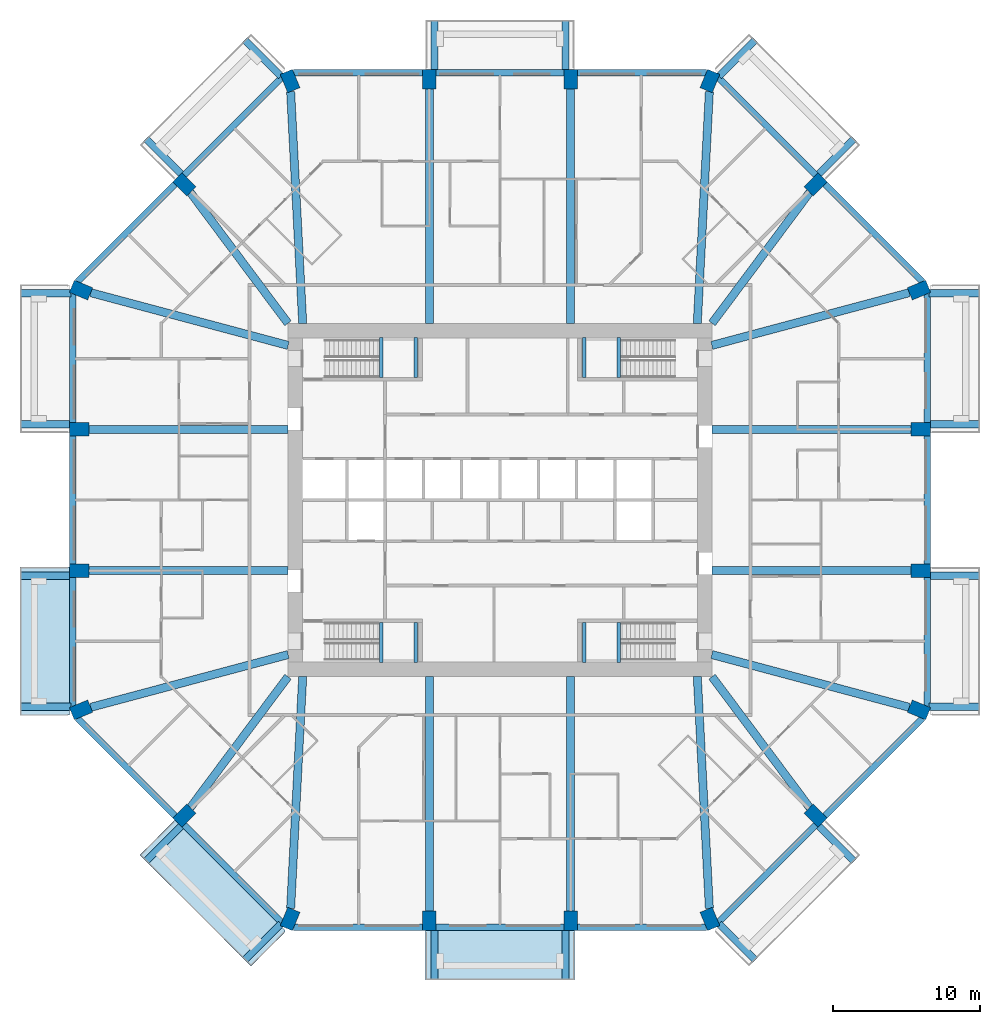
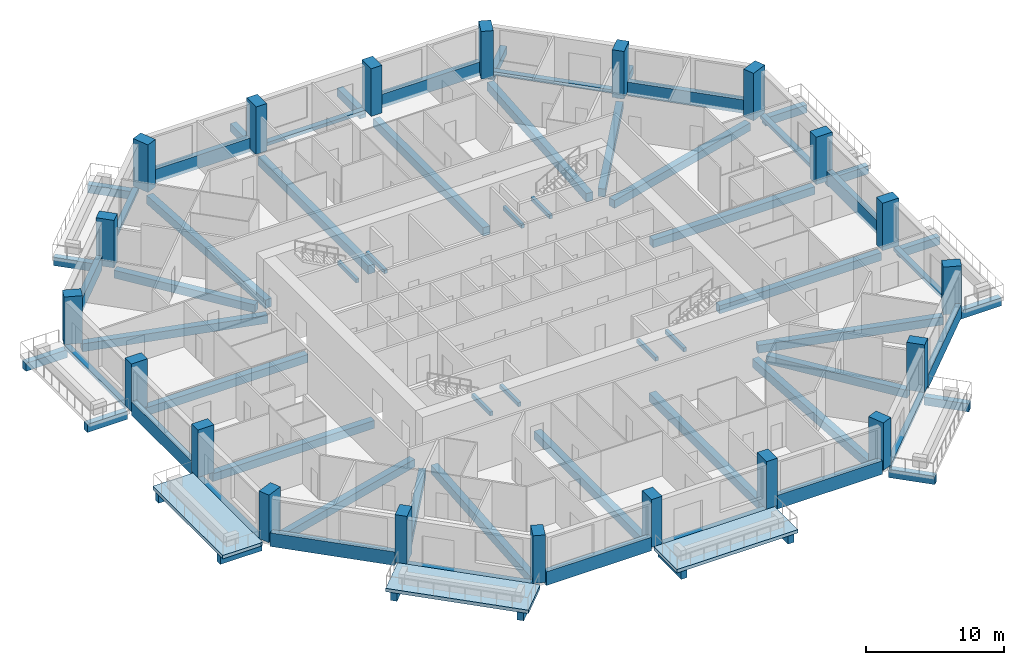
# One storey, part 1 of 13: 68 beams, 20 columns, 3 slabs.
"""IFC4 building model written with IfcOpenShell, lengths in metres."""

from ifc_helpers import new_model, si_unit, direction, frame, origin, origin_2d, place, context, subcontext, project, spatial, polyline, rectangle, outline, extrude, material, layer, layer_set, material_profile, profile_set, type_object, element, save


model = new_model("IFC4")

# Units and contexts
model_context = context("Model", 3, precision=1e-05, world=origin(), true_north=direction((0.0, 1.0)))
body_context = subcontext(model_context, "Body", "Model", "MODEL_VIEW")
ifc_project = project(units=[si_unit("LENGTHUNIT", "METRE"), si_unit("AREAUNIT", "SQUARE_METRE"), si_unit("VOLUMEUNIT", "CUBIC_METRE"), si_unit("PLANEANGLEUNIT", "RADIAN"), si_unit("MASSUNIT", "GRAM", prefix="KILO")], contexts=[model_context])

# Site, building, storey
site_placement = place(None, origin())
site = spatial("IfcSite", under=ifc_project, at=site_placement, CompositionType="ELEMENT")
building_placement = place(site_placement, origin())
building = spatial("IfcBuilding", under=site, at=building_placement, Name="Msitu Wima Residences", CompositionType="ELEMENT")
storey_placement = place(building_placement, frame((0.0, 0.0, 29.699951171875)))
storey = spatial("IfcBuildingStorey", under=building, at=storey_placement, Name="L06", CompositionType="ELEMENT", Elevation=29.699951171875)

# Columns
ifc_material_1 = material(Name="Concrete C80/95", Category="concrete")
ifc_material_profile_1 = material_profile(ifc_material_1, rectangle(XDim=0.89990234375, YDim=1.35009765625, at=origin_2d()), Name="RC 900x1350")
ifc_profile_set_1 = profile_set([ifc_material_profile_1], Name="Concrete C80/95")
column_type = type_object("IfcColumnType", Name="Column RC 900x1350 Concrete C80/95", PredefinedType="COLUMN", material=ifc_profile_set_1)
for number, where, z_axis, x_axis, name in (
    (1, (28.4541015625, -14.2568359375, 0.0), (0.0, 0.0, 1.0), (0.382683496864, 0.923879505795, 0.0), "Column L06 C-E0"),
    (2, (28.574951171875, -4.800048828125, 0.0), (0.0, 0.0, 1.0), (0.0, 1.0, 0.0), "Column L06 C-E1"),
    (3, (28.574951171875, 4.800048828125, 0.0), (0.0, 0.0, 1.0), (0.0, 1.0, 0.0), "Column L06 C-E2"),
    (4, (28.4541015625, 14.2568359375, 0.0), (0.0, 0.0, 1.0), (-0.382683496864, 0.923879505795, 0.0), "Column L06 C-NE0"),
    (5, (21.44091796875, 21.44091796875, 0.0), (0.0, 0.0, 1.0), (-0.707106781187, 0.707106781187, 0.0), "Column L06 C-NE1"),
    (6, (14.2568359375, 28.4541015625, 0.0), (0.0, 0.0, 1.0), (-0.923879505795, 0.382683496864, 0.0), "Column L06 C-N0"),
    (7, (4.800048828125, 28.574951171875, 0.0), (0.0, 0.0, 1.0), (-1.0, 0.0, 0.0), "Column L06 C-N1"),
    (8, (-4.800048828125, 28.574951171875, 0.0), (0.0, 0.0, 1.0), (-1.0, 0.0, 0.0), "Column L06 C-N2"),
    (9, (-14.2568359375, 28.4541015625, 0.0), (0.0, 0.0, 1.0), (-0.923879505795, -0.382683496864, 0.0), "Column L06 C-NW0"),
    (10, (-21.44091796875, 21.44091796875, 0.0), (0.0, 0.0, 1.0), (-0.707106781187, -0.707106781187, 0.0), "Column L06 C-NW1"),
    (11, (-28.4541015625, 14.2568359375, 0.0), (0.0, 0.0, 1.0), (-0.382683496864, -0.923879505795, 0.0), "Column L06 C-W0"),
    (12, (-28.574951171875, 4.800048828125, 0.0), (0.0, 0.0, 1.0), (0.0, -1.0, 0.0), "Column L06 C-W1"),
    (13, (-28.574951171875, -4.800048828125, 0.0), (0.0, 0.0, 1.0), (0.0, -1.0, 0.0), "Column L06 C-W2"),
    (14, (-28.4541015625, -14.2568359375, 0.0), (0.0, 0.0, 1.0), (0.382683496864, -0.923879505795, 0.0), "Column L06 C-SW0"),
    (15, (-21.44091796875, -21.44091796875, 0.0), (0.0, 0.0, 1.0), (0.707106781187, -0.707106781187, 0.0), "Column L06 C-SW1"),
    (16, (-14.2568359375, -28.4541015625, 0.0), (0.0, 0.0, 1.0), (0.923879505795, -0.382683496864, 0.0), "Column L06 C-S0"),
    (17, (-4.800048828125, -28.574951171875, 0.0), (0.0, 0.0, 1.0), (1.0, 0.0, 0.0), "Column L06 C-S1"),
    (18, (4.800048828125, -28.574951171875, 0.0), (0.0, 0.0, 1.0), (1.0, 0.0, 0.0), "Column L06 C-S2"),
    (19, (14.2568359375, -28.4541015625, 0.0), (0.0, 0.0, 1.0), (0.923879505795, 0.382683496864, 0.0), "Column L06 C-SE0"),
    (20, (21.44091796875, -21.44091796875, 0.0), (0.0, 0.0, 1.0), (0.707106781187, 0.707106781187, 0.0), "Column L06 C-SE1"),
):
    element("IfcColumn", number, at=place(storey_placement, frame(where, z_axis=z_axis, x_axis=x_axis)), inside=storey, type_object=column_type, Name=name, PredefinedType="COLUMN", context=body_context, shape_type="SweptSolid", body=[
        extrude(rectangle(XDim=0.89990234375, YDim=1.35009765625, at=origin_2d()), origin(), (0.0, 0.0, 1.0), 4.199951171875),
    ])

# Beams
ifc_material_2 = material(Name="Concrete C50/60", Category="concrete")
ifc_material_profile_2 = material_profile(ifc_material_2, rectangle(XDim=0.550048828125, YDim=0.699951171875, at=origin_2d()), Name="RC 550x700")
ifc_profile_set_2 = profile_set([ifc_material_profile_2], Name="Concrete C50/60")
beam_type_1 = type_object("IfcBeamType", Name="Beam RC 550x700 Concrete C50/60", PredefinedType="BEAM", material=ifc_profile_set_2)
beam_1_placement = place(storey_placement, frame((27.79638671875, -14.080810546875, -0.599853515625), z_axis=(-0.966081778408, 0.258236320891, 0.0), x_axis=(-0.258236320891, -0.966081778408, 0.0)))
element("IfcBeam", 21, at=beam_1_placement, inside=storey, type_object=beam_type_1, Name="Beam L06 C-E0", PredefinedType="BEAM", context=body_context, shape_type="SweptSolid", body=[
    extrude(rectangle(XDim=0.550048828125, YDim=0.699951171875, at=origin_2d()), origin(), (0.0, 0.0, 1.0), 13.878662109375),
])
for number, where, z_axis, x_axis, name in (
    (22, (27.89990234375, -4.800048828125, -0.599853515625), (-1.0, 0.0, 0.0), (0.0, -1.0, 0.0), "Beam L06 C-E1"),
    (23, (27.89990234375, 4.800048828125, -0.599853515625), (-1.0, 0.0, 0.0), (0.0, -1.0, 0.0), "Beam L06 C-E2"),
):
    element("IfcBeam", number, at=place(storey_placement, frame(where, z_axis=z_axis, x_axis=x_axis)), inside=storey, type_object=beam_type_1, Name=name, PredefinedType="BEAM", context=body_context, shape_type="SweptSolid", body=[
        extrude(rectangle(XDim=0.550048828125, YDim=0.699951171875, at=origin_2d()), origin(), (0.0, 0.0, 1.0), 13.5),
    ])
beam_2_placement = place(storey_placement, frame((27.79638671875, 14.080810546875, -0.599853515625), z_axis=(-0.966081778408, -0.258236320891, 0.0), x_axis=(0.258236320891, -0.966081778408, 0.0)))
element("IfcBeam", 24, at=beam_2_placement, inside=storey, type_object=beam_type_1, Name="Beam L06 C-NE0", PredefinedType="BEAM", context=body_context, shape_type="SweptSolid", body=[
    extrude(rectangle(XDim=0.550048828125, YDim=0.699951171875, at=origin_2d()), origin(), (0.0, 0.0, 1.0), 13.878662109375),
])
for number, where, z_axis, x_axis, name in (
    (25, (21.033203125, 20.89404296875, -0.599853515625), (-0.597850242031, -0.801607814398, 0.0), (0.801607814398, -0.597850242031, 0.0), "Beam L06 C-NE1"),
    (26, (-21.033203125, 20.89404296875, -0.599853515625), (0.597850242031, -0.801607814398, 0.0), (0.801607814398, 0.597850242031, 0.0), "Beam L06 C-NW1"),
):
    element("IfcBeam", number, at=place(storey_placement, frame(where, z_axis=z_axis, x_axis=x_axis)), inside=storey, type_object=beam_type_1, Name=name, PredefinedType="BEAM", context=body_context, shape_type="SweptSolid", body=[
        extrude(rectangle(XDim=0.550048828125, YDim=0.699951171875, at=origin_2d()), origin(), (0.0, 0.0, 1.0), 11.09521484375),
    ])
beam_3_placement = place(storey_placement, frame((-27.79638671875, 14.080810546875, -0.599853515625), z_axis=(0.966081778408, -0.258236320891, 0.0), x_axis=(0.258236320891, 0.966081778408, 0.0)))
element("IfcBeam", 27, at=beam_3_placement, inside=storey, type_object=beam_type_1, Name="Beam L06 C-W0", PredefinedType="BEAM", context=body_context, shape_type="SweptSolid", body=[
    extrude(rectangle(XDim=0.550048828125, YDim=0.699951171875, at=origin_2d()), origin(), (0.0, 0.0, 1.0), 13.878662109375),
])
for number, where, z_axis, x_axis, name in (
    (28, (-27.89990234375, 4.800048828125, -0.599853515625), (1.0, 0.0, 0.0), (0.0, 1.0, 0.0), "Beam L06 C-W1"),
    (29, (-27.89990234375, -4.800048828125, -0.599853515625), (1.0, 0.0, 0.0), (0.0, 1.0, 0.0), "Beam L06 C-W2"),
):
    element("IfcBeam", number, at=place(storey_placement, frame(where, z_axis=z_axis, x_axis=x_axis)), inside=storey, type_object=beam_type_1, Name=name, PredefinedType="BEAM", context=body_context, shape_type="SweptSolid", body=[
        extrude(rectangle(XDim=0.550048828125, YDim=0.699951171875, at=origin_2d()), origin(), (0.0, 0.0, 1.0), 13.5),
    ])
beam_4_placement = place(storey_placement, frame((-27.79638671875, -14.080810546875, -0.599853515625), z_axis=(0.966081778408, 0.258236320891, 0.0), x_axis=(-0.258236320891, 0.966081778408, 0.0)))
element("IfcBeam", 30, at=beam_4_placement, inside=storey, type_object=beam_type_1, Name="Beam L06 C-SW0", PredefinedType="BEAM", context=body_context, shape_type="SweptSolid", body=[
    extrude(rectangle(XDim=0.550048828125, YDim=0.699951171875, at=origin_2d()), origin(), (0.0, 0.0, 1.0), 13.878662109375),
])
for number, where, z_axis, x_axis, name in (
    (31, (-21.033203125, -20.89404296875, -0.599853515625), (0.597850242031, 0.801607814398, 0.0), (-0.801607814398, 0.597850242031, 0.0), "Beam L06 C-SW1"),
    (32, (21.033203125, -20.89404296875, -0.599853515625), (-0.597850242031, 0.801607814398, 0.0), (-0.801607814398, -0.597850242031, 0.0), "Beam L06 C-SE1"),
):
    element("IfcBeam", number, at=place(storey_placement, frame(where, z_axis=z_axis, x_axis=x_axis)), inside=storey, type_object=beam_type_1, Name=name, PredefinedType="BEAM", context=body_context, shape_type="SweptSolid", body=[
        extrude(rectangle(XDim=0.550048828125, YDim=0.699951171875, at=origin_2d()), origin(), (0.0, 0.0, 1.0), 11.09521484375),
    ])
ifc_material_profile_3 = material_profile(ifc_material_2, rectangle(XDim=0.550048828125, YDim=0.75, at=origin_2d()), Name="RC 550x750")
ifc_profile_set_3 = profile_set([ifc_material_profile_3], Name="Concrete C50/60")
beam_type_2 = type_object("IfcBeamType", Name="Beam RC 550x750 Concrete C50/60", PredefinedType="BEAM", material=ifc_profile_set_3)
beam_5_placement = place(storey_placement, frame((14.219482421875, 27.739013671875, -0.625), z_axis=(-0.05199418091, -0.998647387796, 0.0), x_axis=(0.998647387796, -0.05199418091, 0.0)))
element("IfcBeam", 33, at=beam_5_placement, inside=storey, type_object=beam_type_2, Name="Beam L06 C-N0", PredefinedType="BEAM", context=body_context, shape_type="SweptSolid", body=[
    extrude(rectangle(XDim=0.550048828125, YDim=0.75, at=origin_2d()), origin(), (0.0, 0.0, 1.0), 15.772216796875),
])
for number, where, z_axis, x_axis, name in (
    (34, (4.800048828125, 27.89990234375, -0.625), (0.0, -1.0, 0.0), (1.0, 0.0, 0.0), "Beam L06 C-N1"),
    (35, (-4.800048828125, 27.89990234375, -0.625), (0.0, -1.0, 0.0), (1.0, 0.0, 0.0), "Beam L06 C-N2"),
):
    element("IfcBeam", number, at=place(storey_placement, frame(where, z_axis=z_axis, x_axis=x_axis)), inside=storey, type_object=beam_type_2, Name=name, PredefinedType="BEAM", context=body_context, shape_type="SweptSolid", body=[
        extrude(rectangle(XDim=0.550048828125, YDim=0.75, at=origin_2d()), origin(), (0.0, 0.0, 1.0), 15.89990234375),
    ])
for number, where, z_axis, x_axis, name in (
    (36, (-14.219482421875, 27.739013671875, -0.625), (0.05199418091, -0.998647387796, 0.0), (0.998647387796, 0.05199418091, 0.0), "Beam L06 C-NW0"),
    (37, (-14.219482421875, -27.739013671875, -0.625), (0.05199418091, 0.998647387796, 0.0), (-0.998647387796, 0.05199418091, 0.0), "Beam L06 C-S0"),
):
    element("IfcBeam", number, at=place(storey_placement, frame(where, z_axis=z_axis, x_axis=x_axis)), inside=storey, type_object=beam_type_2, Name=name, PredefinedType="BEAM", context=body_context, shape_type="SweptSolid", body=[
        extrude(rectangle(XDim=0.550048828125, YDim=0.75, at=origin_2d()), origin(), (0.0, 0.0, 1.0), 15.772216796875),
    ])
for number, where, z_axis, x_axis, name in (
    (38, (-4.800048828125, -27.89990234375, -0.625), (0.0, 1.0, 0.0), (-1.0, 0.0, 0.0), "Beam L06 C-S1"),
    (39, (4.800048828125, -27.89990234375, -0.625), (0.0, 1.0, 0.0), (-1.0, 0.0, 0.0), "Beam L06 C-S2"),
):
    element("IfcBeam", number, at=place(storey_placement, frame(where, z_axis=z_axis, x_axis=x_axis)), inside=storey, type_object=beam_type_2, Name=name, PredefinedType="BEAM", context=body_context, shape_type="SweptSolid", body=[
        extrude(rectangle(XDim=0.550048828125, YDim=0.75, at=origin_2d()), origin(), (0.0, 0.0, 1.0), 15.89990234375),
    ])
beam_6_placement = place(storey_placement, frame((14.219482421875, -27.739013671875, -0.625), z_axis=(-0.05199418091, 0.998647387796, 0.0), x_axis=(-0.998647387796, -0.05199418091, 0.0)))
element("IfcBeam", 40, at=beam_6_placement, inside=storey, type_object=beam_type_2, Name="Beam L06 C-SE0", PredefinedType="BEAM", context=body_context, shape_type="SweptSolid", body=[
    extrude(rectangle(XDim=0.550048828125, YDim=0.75, at=origin_2d()), origin(), (0.0, 0.0, 1.0), 15.772216796875),
])
ifc_material_profile_4 = material_profile(ifc_material_2, rectangle(XDim=0.5, YDim=0.699951171875, at=origin_2d()), Name="RC 500x700")
ifc_profile_set_4 = profile_set([ifc_material_profile_4], Name="Concrete C50/60")
beam_type_3 = type_object("IfcBeamType", Name="Cantilever beam RC 500x700 Concrete C50/60", PredefinedType="BEAM", material=ifc_profile_set_4)
beam_7_placement = place(storey_placement, frame((29.130859375, -14.050048828125, -0.64990234375), z_axis=(1.0, 0.0, 0.0), x_axis=(0.0, 1.0, 0.0)))
element("IfcBeam", 41, at=beam_7_placement, inside=storey, type_object=beam_type_3, Name="Cantilever beam L06 BA-E0 A", PredefinedType="BEAM", context=body_context, shape_type="SweptSolid", body=[
    extrude(rectangle(XDim=0.5, YDim=0.699951171875, at=origin_2d()), origin(), (0.0, 0.0, 1.0), 3.46923828125),
])
for number, where, z_axis, x_axis, name in (
    (42, (29.25, -5.14990234375, -0.64990234375), (1.0, 0.0, 0.0), (0.0, 1.0, 0.0), "Cantilever beam L06 BA-E0 B"),
    (43, (29.25, 5.14990234375, -0.64990234375), (1.0, 0.0, 0.0), (0.0, 1.0, 0.0), "Cantilever beam L06 BA-E2 A"),
):
    element("IfcBeam", number, at=place(storey_placement, frame(where, z_axis=z_axis, x_axis=x_axis)), inside=storey, type_object=beam_type_3, Name=name, PredefinedType="BEAM", context=body_context, shape_type="SweptSolid", body=[
        extrude(rectangle(XDim=0.5, YDim=0.699951171875, at=origin_2d()), origin(), (0.0, 0.0, 1.0), 3.35009765625),
    ])
beam_8_placement = place(storey_placement, frame((29.130859375, 14.050048828125, -0.64990234375), z_axis=(1.0, 0.0, 0.0), x_axis=(0.0, 1.0, 0.0)))
element("IfcBeam", 44, at=beam_8_placement, inside=storey, type_object=beam_type_3, Name="Cantilever beam L06 BA-E2 B", PredefinedType="BEAM", context=body_context, shape_type="SweptSolid", body=[
    extrude(rectangle(XDim=0.5, YDim=0.699951171875, at=origin_2d()), origin(), (0.0, 0.0, 1.0), 3.46923828125),
])
beam_9_placement = place(storey_placement, frame((21.670654296875, 22.165771484375, -0.64990234375), z_axis=(0.707143219659, 0.707070340836, 0.0), x_axis=(-0.707070340836, 0.707143219659, 0.0)))
element("IfcBeam", 45, at=beam_9_placement, inside=storey, type_object=beam_type_3, Name="Cantilever beam L06 BA-NE1 A", PredefinedType="BEAM", context=body_context, shape_type="SweptSolid", body=[
    extrude(rectangle(XDim=0.5, YDim=0.699951171875, at=origin_2d()), origin(), (0.0, 0.0, 1.0), 3.349853515625),
])
beam_10_placement = place(storey_placement, frame((14.881591796875, 28.78662109375, -0.64990234375), z_axis=(0.707106781187, 0.707106781187, 0.0), x_axis=(-0.707106781187, 0.707106781187, 0.0)))
element("IfcBeam", 46, at=beam_10_placement, inside=storey, type_object=beam_type_3, Name="Cantilever beam L06 BA-NE1 B", PredefinedType="BEAM", context=body_context, shape_type="SweptSolid", body=[
    extrude(rectangle(XDim=0.5, YDim=0.699951171875, at=origin_2d()), origin(), (0.0, 0.0, 1.0), 3.468994140625),
])
for number, where, z_axis, x_axis, name in (
    (47, (4.449951171875, 29.25, -0.64990234375), (0.0, 1.0, 0.0), (-1.0, 0.0, 0.0), "Cantilever beam L06 BA-N1 A"),
    (48, (-4.449951171875, 29.25, -0.64990234375), (0.0, 1.0, 0.0), (-1.0, 0.0, 0.0), "Cantilever beam L06 BA-N1 B"),
):
    element("IfcBeam", number, at=place(storey_placement, frame(where, z_axis=z_axis, x_axis=x_axis)), inside=storey, type_object=beam_type_3, Name=name, PredefinedType="BEAM", context=body_context, shape_type="SweptSolid", body=[
        extrude(rectangle(XDim=0.5, YDim=0.699951171875, at=origin_2d()), origin(), (0.0, 0.0, 1.0), 3.35009765625),
    ])
beam_11_placement = place(storey_placement, frame((-14.881591796875, 28.78662109375, -0.64990234375), z_axis=(-0.707106781187, 0.707106781187, 0.0), x_axis=(-0.707106781187, -0.707106781187, 0.0)))
element("IfcBeam", 49, at=beam_11_placement, inside=storey, type_object=beam_type_3, Name="Cantilever beam L06 BA-NW0 A", PredefinedType="BEAM", context=body_context, shape_type="SweptSolid", body=[
    extrude(rectangle(XDim=0.5, YDim=0.699951171875, at=origin_2d()), origin(), (0.0, 0.0, 1.0), 3.468994140625),
])
beam_12_placement = place(storey_placement, frame((-21.670654296875, 22.165771484375, -0.64990234375), z_axis=(-0.707143219659, 0.707070340836, 0.0), x_axis=(-0.707070340836, -0.707143219659, 0.0)))
element("IfcBeam", 50, at=beam_12_placement, inside=storey, type_object=beam_type_3, Name="Cantilever beam L06 BA-NW0 B", PredefinedType="BEAM", context=body_context, shape_type="SweptSolid", body=[
    extrude(rectangle(XDim=0.5, YDim=0.699951171875, at=origin_2d()), origin(), (0.0, 0.0, 1.0), 3.349853515625),
])
beam_13_placement = place(storey_placement, frame((-29.130859375, 14.050048828125, -0.64990234375), z_axis=(-1.0, 0.0, 0.0), x_axis=(0.0, -1.0, 0.0)))
element("IfcBeam", 51, at=beam_13_placement, inside=storey, type_object=beam_type_3, Name="Cantilever beam L06 BA-W0 A", PredefinedType="BEAM", context=body_context, shape_type="SweptSolid", body=[
    extrude(rectangle(XDim=0.5, YDim=0.699951171875, at=origin_2d()), origin(), (0.0, 0.0, 1.0), 3.46923828125),
])
for number, where, z_axis, x_axis, name in (
    (52, (-29.25, 5.14990234375, -0.64990234375), (-1.0, 0.0, 0.0), (0.0, -1.0, 0.0), "Cantilever beam L06 BA-W0 B"),
    (53, (-29.25, -5.14990234375, -0.64990234375), (-1.0, 0.0, 0.0), (0.0, -1.0, 0.0), "Cantilever beam L06 BA-W2 A"),
):
    element("IfcBeam", number, at=place(storey_placement, frame(where, z_axis=z_axis, x_axis=x_axis)), inside=storey, type_object=beam_type_3, Name=name, PredefinedType="BEAM", context=body_context, shape_type="SweptSolid", body=[
        extrude(rectangle(XDim=0.5, YDim=0.699951171875, at=origin_2d()), origin(), (0.0, 0.0, 1.0), 3.35009765625),
    ])
beam_14_placement = place(storey_placement, frame((-29.130859375, -14.050048828125, -0.64990234375), z_axis=(-1.0, 0.0, 0.0), x_axis=(0.0, -1.0, 0.0)))
element("IfcBeam", 54, at=beam_14_placement, inside=storey, type_object=beam_type_3, Name="Cantilever beam L06 BA-W2 B", PredefinedType="BEAM", context=body_context, shape_type="SweptSolid", body=[
    extrude(rectangle(XDim=0.5, YDim=0.699951171875, at=origin_2d()), origin(), (0.0, 0.0, 1.0), 3.46923828125),
])
beam_15_placement = place(storey_placement, frame((-21.670654296875, -22.165771484375, -0.64990234375), z_axis=(-0.707143219659, -0.707070340836, 0.0), x_axis=(0.707070340836, -0.707143219659, 0.0)))
element("IfcBeam", 55, at=beam_15_placement, inside=storey, type_object=beam_type_3, Name="Cantilever beam L06 BA-SW1 A", PredefinedType="BEAM", context=body_context, shape_type="SweptSolid", body=[
    extrude(rectangle(XDim=0.5, YDim=0.699951171875, at=origin_2d()), origin(), (0.0, 0.0, 1.0), 3.349853515625),
])
beam_16_placement = place(storey_placement, frame((-14.881591796875, -28.78662109375, -0.64990234375), z_axis=(-0.707106781187, -0.707106781187, 0.0), x_axis=(0.707106781187, -0.707106781187, 0.0)))
element("IfcBeam", 56, at=beam_16_placement, inside=storey, type_object=beam_type_3, Name="Cantilever beam L06 BA-SW1 B", PredefinedType="BEAM", context=body_context, shape_type="SweptSolid", body=[
    extrude(rectangle(XDim=0.5, YDim=0.699951171875, at=origin_2d()), origin(), (0.0, 0.0, 1.0), 3.468994140625),
])
for number, where, z_axis, x_axis, name in (
    (57, (-4.449951171875, -29.25, -0.64990234375), (0.0, -1.0, 0.0), (1.0, 0.0, 0.0), "Cantilever beam L06 BA-S1 A"),
    (58, (4.449951171875, -29.25, -0.64990234375), (0.0, -1.0, 0.0), (1.0, 0.0, 0.0), "Cantilever beam L06 BA-S1 B"),
):
    element("IfcBeam", number, at=place(storey_placement, frame(where, z_axis=z_axis, x_axis=x_axis)), inside=storey, type_object=beam_type_3, Name=name, PredefinedType="BEAM", context=body_context, shape_type="SweptSolid", body=[
        extrude(rectangle(XDim=0.5, YDim=0.699951171875, at=origin_2d()), origin(), (0.0, 0.0, 1.0), 3.35009765625),
    ])
beam_17_placement = place(storey_placement, frame((14.881591796875, -28.78662109375, -0.64990234375), z_axis=(0.707106781187, -0.707106781187, 0.0), x_axis=(0.707106781187, 0.707106781187, 0.0)))
element("IfcBeam", 59, at=beam_17_placement, inside=storey, type_object=beam_type_3, Name="Cantilever beam L06 BA-SE0 A", PredefinedType="BEAM", context=body_context, shape_type="SweptSolid", body=[
    extrude(rectangle(XDim=0.5, YDim=0.699951171875, at=origin_2d()), origin(), (0.0, 0.0, 1.0), 3.468994140625),
])
beam_18_placement = place(storey_placement, frame((21.670654296875, -22.165771484375, -0.64990234375), z_axis=(0.707143219659, -0.707070340836, 0.0), x_axis=(0.707070340836, 0.707143219659, 0.0)))
element("IfcBeam", 60, at=beam_18_placement, inside=storey, type_object=beam_type_3, Name="Cantilever beam L06 BA-SE0 B", PredefinedType="BEAM", context=body_context, shape_type="SweptSolid", body=[
    extrude(rectangle(XDim=0.5, YDim=0.699951171875, at=origin_2d()), origin(), (0.0, 0.0, 1.0), 3.349853515625),
])
ifc_material_profile_5 = material_profile(ifc_material_2, rectangle(XDim=0.449951171875, YDim=0.300048828125, at=origin_2d()), Name="RC 450x300")
ifc_profile_set_5 = profile_set([ifc_material_profile_5], Name="Concrete C50/60")
beam_type_4 = type_object("IfcBeamType", Name="Edge beam RC 450x300 Concrete C50/60", PredefinedType="SPANDREL", material=ifc_profile_set_5)
for number, where, z_axis, x_axis, name in (
    (61, (29.02490234375, -14.01806640625, -0.14990234375), (0.0, 1.0, 0.0), (-1.0, 0.0, 0.0), "Spandrel L06 E0"),
    (62, (29.02490234375, 5.25, -0.14990234375), (0.0, 1.0, 0.0), (-1.0, 0.0, 0.0), "Spandrel L06 E2"),
):
    element("IfcBeam", number, at=place(storey_placement, frame(where, z_axis=z_axis, x_axis=x_axis)), inside=storey, type_object=beam_type_4, Name=name, PredefinedType="SPANDREL", context=body_context, shape_type="SweptSolid", body=[
        extrude(rectangle(XDim=0.449951171875, YDim=0.300048828125, at=origin_2d()), origin(), (0.0, 0.0, 1.0), 8.76806640625),
    ])
beam_19_placement = place(storey_placement, frame((21.44091796875, 22.077392578125, -0.14990234375), z_axis=(-0.707119836229, 0.707093725903, 0.0), x_axis=(-0.707093725903, -0.707119836229, 0.0)))
element("IfcBeam", 63, at=beam_19_placement, inside=storey, type_object=beam_type_4, Name="Spandrel L06 NE1", PredefinedType="SPANDREL", context=body_context, shape_type="SweptSolid", body=[
    extrude(rectangle(XDim=0.449951171875, YDim=0.300048828125, at=origin_2d()), origin(), (0.0, 0.0, 1.0), 9.350341796875),
])
beam_20_placement = place(storey_placement, frame((4.35009765625, 29.02490234375, -0.14990234375), z_axis=(-1.0, 0.0, 0.0), x_axis=(0.0, -1.0, 0.0)))
element("IfcBeam", 64, at=beam_20_placement, inside=storey, type_object=beam_type_4, Name="Spandrel L06 N1", PredefinedType="SPANDREL", context=body_context, shape_type="SweptSolid", body=[
    extrude(rectangle(XDim=0.449951171875, YDim=0.300048828125, at=origin_2d()), origin(), (0.0, 0.0, 1.0), 8.7001953125),
])
beam_21_placement = place(storey_placement, frame((-14.8291015625, 28.68896484375, -0.14990234375), z_axis=(-0.707119836229, -0.707093725903, 0.0), x_axis=(0.707093725903, -0.707119836229, 0.0)))
element("IfcBeam", 65, at=beam_21_placement, inside=storey, type_object=beam_type_4, Name="Spandrel L06 NW0", PredefinedType="SPANDREL", context=body_context, shape_type="SweptSolid", body=[
    extrude(rectangle(XDim=0.449951171875, YDim=0.300048828125, at=origin_2d()), origin(), (0.0, 0.0, 1.0), 9.350341796875),
])
for number, where, z_axis, x_axis, name in (
    (66, (-29.02490234375, 14.01806640625, -0.14990234375), (0.0, -1.0, 0.0), (1.0, 0.0, 0.0), "Spandrel L06 W0"),
    (67, (-29.02490234375, -5.25, -0.14990234375), (0.0, -1.0, 0.0), (1.0, 0.0, 0.0), "Spandrel L06 W2"),
):
    element("IfcBeam", number, at=place(storey_placement, frame(where, z_axis=z_axis, x_axis=x_axis)), inside=storey, type_object=beam_type_4, Name=name, PredefinedType="SPANDREL", context=body_context, shape_type="SweptSolid", body=[
        extrude(rectangle(XDim=0.449951171875, YDim=0.300048828125, at=origin_2d()), origin(), (0.0, 0.0, 1.0), 8.76806640625),
    ])
beam_22_placement = place(storey_placement, frame((-21.44091796875, -22.077392578125, -0.14990234375), z_axis=(0.707119836229, -0.707093725903, 0.0), x_axis=(0.707093725903, 0.707119836229, 0.0)))
element("IfcBeam", 68, at=beam_22_placement, inside=storey, type_object=beam_type_4, Name="Spandrel L06 SW1", PredefinedType="SPANDREL", context=body_context, shape_type="SweptSolid", body=[
    extrude(rectangle(XDim=0.449951171875, YDim=0.300048828125, at=origin_2d()), origin(), (0.0, 0.0, 1.0), 9.350341796875),
])
beam_23_placement = place(storey_placement, frame((-4.35009765625, -29.02490234375, -0.14990234375), z_axis=(1.0, 0.0, 0.0), x_axis=(0.0, 1.0, 0.0)))
element("IfcBeam", 69, at=beam_23_placement, inside=storey, type_object=beam_type_4, Name="Spandrel L06 S1", PredefinedType="SPANDREL", context=body_context, shape_type="SweptSolid", body=[
    extrude(rectangle(XDim=0.449951171875, YDim=0.300048828125, at=origin_2d()), origin(), (0.0, 0.0, 1.0), 8.7001953125),
])
beam_24_placement = place(storey_placement, frame((14.8291015625, -28.68896484375, -0.14990234375), z_axis=(0.707119836229, 0.707093725903, 0.0), x_axis=(-0.707093725903, 0.707119836229, 0.0)))
element("IfcBeam", 70, at=beam_24_placement, inside=storey, type_object=beam_type_4, Name="Spandrel L06 SE0", PredefinedType="SPANDREL", context=body_context, shape_type="SweptSolid", body=[
    extrude(rectangle(XDim=0.449951171875, YDim=0.300048828125, at=origin_2d()), origin(), (0.0, 0.0, 1.0), 9.350341796875),
])
ifc_material_3 = material(Name="Concrete C40/50", Category="concrete")
ifc_material_profile_6 = material_profile(ifc_material_3, rectangle(XDim=0.25, YDim=0.35009765625, at=origin_2d()), Name="RC 250x350")
ifc_profile_set_6 = profile_set([ifc_material_profile_6], Name="Concrete C40/50")
beam_type_5 = type_object("IfcBeamType", Name="Landing beam RC 250x350", PredefinedType="BEAM", material=ifc_profile_set_6)
for number, where, z_axis, x_axis, name in (
    (71, (-8.074951171875, 8.324951171875, 1.72509765625), (0.0, 1.0, 0.0), (-1.0, 0.0, 0.0), "Stair 1 landing beam"),
    (72, (-5.72509765625, 8.324951171875, 1.72509765625), (0.0, 1.0, 0.0), (-1.0, 0.0, 0.0), "Stair 1 landing beam"),
    (73, (-8.074951171875, -11.02490234375, 1.72509765625), (0.0, 1.0, 0.0), (-1.0, 0.0, 0.0), "Stair 2 landing beam"),
    (74, (-5.72509765625, -11.02490234375, 1.72509765625), (0.0, 1.0, 0.0), (-1.0, 0.0, 0.0), "Stair 2 landing beam"),
    (75, (8.074951171875, 8.324951171875, 1.72509765625), (0.0, 1.0, 0.0), (-1.0, 0.0, 0.0), "Stair 3 landing beam"),
    (76, (5.72509765625, 8.324951171875, 1.72509765625), (0.0, 1.0, 0.0), (-1.0, 0.0, 0.0), "Stair 3 landing beam"),
    (77, (8.074951171875, -11.02490234375, 1.72509765625), (0.0, 1.0, 0.0), (-1.0, 0.0, 0.0), "Stair 4 landing beam"),
    (78, (5.72509765625, -11.02490234375, 1.72509765625), (0.0, 1.0, 0.0), (-1.0, 0.0, 0.0), "Stair 4 landing beam"),
):
    element("IfcBeam", number, at=place(storey_placement, frame(where, z_axis=z_axis, x_axis=x_axis)), inside=storey, type_object=beam_type_5, Name=name, PredefinedType="BEAM", context=body_context, shape_type="SweptSolid", body=[
        extrude(rectangle(XDim=0.25, YDim=0.35009765625, at=origin_2d()), origin(), (0.0, 0.0, 1.0), 2.699951171875),
    ])
ifc_material_profile_7 = material_profile(ifc_material_2, rectangle(XDim=0.449951171875, YDim=1.199951171875, at=origin_2d()), Name="RC 450x1200")
ifc_profile_set_7 = profile_set([ifc_material_profile_7], Name="Concrete C50/60")
beam_type_6 = type_object("IfcBeamType", Name="Spandrel RC 450x1200 Concrete C50/60", PredefinedType="SPANDREL", material=ifc_profile_set_7)
beam_25_placement = place(storey_placement, frame((29.02490234375, -4.35009765625, 0.300048828125), z_axis=(0.0, 1.0, 0.0), x_axis=(-1.0, 0.0, 0.0)))
element("IfcBeam", 79, at=beam_25_placement, inside=storey, type_object=beam_type_6, Name="Spandrel L06 E1", PredefinedType="SPANDREL", context=body_context, shape_type="SweptSolid", body=[
    extrude(rectangle(XDim=0.449951171875, YDim=1.199951171875, at=origin_2d()), origin(), (0.0, 0.0, 1.0), 8.7001953125),
])
beam_26_placement = place(storey_placement, frame((28.68896484375, 14.8291015625, 0.300048828125), z_axis=(-0.707093725903, 0.707119836229, 0.0), x_axis=(-0.707119836229, -0.707093725903, 0.0)))
element("IfcBeam", 80, at=beam_26_placement, inside=storey, type_object=beam_type_6, Name="Spandrel L06 NE0", PredefinedType="SPANDREL", context=body_context, shape_type="SweptSolid", body=[
    extrude(rectangle(XDim=0.449951171875, YDim=1.199951171875, at=origin_2d()), origin(), (0.0, 0.0, 1.0), 9.350341796875),
])
for number, where, z_axis, x_axis, name in (
    (81, (14.01806640625, 29.02490234375, 0.300048828125), (-1.0, 0.0, 0.0), (0.0, -1.0, 0.0), "Spandrel L06 N0"),
    (82, (-5.25, 29.02490234375, 0.300048828125), (-1.0, 0.0, 0.0), (0.0, -1.0, 0.0), "Spandrel L06 N2"),
):
    element("IfcBeam", number, at=place(storey_placement, frame(where, z_axis=z_axis, x_axis=x_axis)), inside=storey, type_object=beam_type_6, Name=name, PredefinedType="SPANDREL", context=body_context, shape_type="SweptSolid", body=[
        extrude(rectangle(XDim=0.449951171875, YDim=1.199951171875, at=origin_2d()), origin(), (0.0, 0.0, 1.0), 8.76806640625),
    ])
beam_27_placement = place(storey_placement, frame((-22.077392578125, 21.44091796875, 0.300048828125), z_axis=(-0.707093725903, -0.707119836229, 0.0), x_axis=(0.707119836229, -0.707093725903, 0.0)))
element("IfcBeam", 83, at=beam_27_placement, inside=storey, type_object=beam_type_6, Name="Spandrel L06 NW1", PredefinedType="SPANDREL", context=body_context, shape_type="SweptSolid", body=[
    extrude(rectangle(XDim=0.449951171875, YDim=1.199951171875, at=origin_2d()), origin(), (0.0, 0.0, 1.0), 9.350341796875),
])
beam_28_placement = place(storey_placement, frame((-29.02490234375, 4.35009765625, 0.300048828125), z_axis=(0.0, -1.0, 0.0), x_axis=(1.0, 0.0, 0.0)))
element("IfcBeam", 84, at=beam_28_placement, inside=storey, type_object=beam_type_6, Name="Spandrel L06 W1", PredefinedType="SPANDREL", context=body_context, shape_type="SweptSolid", body=[
    extrude(rectangle(XDim=0.449951171875, YDim=1.199951171875, at=origin_2d()), origin(), (0.0, 0.0, 1.0), 8.7001953125),
])
beam_29_placement = place(storey_placement, frame((-28.68896484375, -14.8291015625, 0.300048828125), z_axis=(0.707093725903, -0.707119836229, 0.0), x_axis=(0.707119836229, 0.707093725903, 0.0)))
element("IfcBeam", 85, at=beam_29_placement, inside=storey, type_object=beam_type_6, Name="Spandrel L06 SW0", PredefinedType="SPANDREL", context=body_context, shape_type="SweptSolid", body=[
    extrude(rectangle(XDim=0.449951171875, YDim=1.199951171875, at=origin_2d()), origin(), (0.0, 0.0, 1.0), 9.350341796875),
])
for number, where, z_axis, x_axis, name in (
    (86, (-14.01806640625, -29.02490234375, 0.300048828125), (1.0, 0.0, 0.0), (0.0, 1.0, 0.0), "Spandrel L06 S0"),
    (87, (5.25, -29.02490234375, 0.300048828125), (1.0, 0.0, 0.0), (0.0, 1.0, 0.0), "Spandrel L06 S2"),
):
    element("IfcBeam", number, at=place(storey_placement, frame(where, z_axis=z_axis, x_axis=x_axis)), inside=storey, type_object=beam_type_6, Name=name, PredefinedType="SPANDREL", context=body_context, shape_type="SweptSolid", body=[
        extrude(rectangle(XDim=0.449951171875, YDim=1.199951171875, at=origin_2d()), origin(), (0.0, 0.0, 1.0), 8.76806640625),
    ])
beam_30_placement = place(storey_placement, frame((22.077392578125, -21.44091796875, 0.300048828125), z_axis=(0.707093725903, 0.707119836229, 0.0), x_axis=(-0.707119836229, 0.707093725903, 0.0)))
element("IfcBeam", 88, at=beam_30_placement, inside=storey, type_object=beam_type_6, Name="Spandrel L06 SE1", PredefinedType="SPANDREL", context=body_context, shape_type="SweptSolid", body=[
    extrude(rectangle(XDim=0.449951171875, YDim=1.199951171875, at=origin_2d()), origin(), (0.0, 0.0, 1.0), 9.350341796875),
])

# Slabs
ifc_layer = layer(ifc_material_3, 0.300048828125)
ifc_layer_set = layer_set([ifc_layer], Name="Concrete C40/50")
slab_type = type_object("IfcSlabType", Name="Balcony slab BS300", PredefinedType="FLOOR", material=ifc_layer_set)
slab_1_placement = place(storey_placement, frame((0.0, 0.0, -0.300048828125)))
element("IfcSlab", 89, at=slab_1_placement, inside=storey, type_object=slab_type, Name="Balcony W2 L06", PredefinedType="FLOOR", context=body_context, shape_type="SweptSolid", body=[
    extrude(outline(polyline([(-29.25, -14.099365234375), (-29.25, -14.099365234375), (-29.25, -14.099365234375), (-29.25, -14.58642578125), (-29.403564453125, -14.64990234375), (-32.60009765625, -14.64990234375), (-32.60009765625, -4.550048828125), (-29.25, -4.550048828125), (-29.25, -5.25), (-29.25, -14.099365234375)])), origin(), (0.0, 0.0, 1.0), 0.300048828125),
])
slab_2_placement = place(storey_placement, frame((0.0, 0.0, -0.300048828125)))
element("IfcSlab", 90, at=slab_2_placement, inside=storey, type_object=slab_type, Name="Balcony SW1 L06", PredefinedType="FLOOR", context=body_context, shape_type="SweptSolid", body=[
    extrude(outline(polyline([(-16.91015625, -31.663818359375), (-24.4638671875, -24.1103515625), (-22.094970703125, -21.741455078125), (-14.58642578125, -29.25), (-14.64990234375, -29.403564453125), (-16.91015625, -31.663818359375)])), origin(), (0.0, 0.0, 1.0), 0.300048828125),
])
slab_3_placement = place(storey_placement, frame((0.0, 0.0, -0.300048828125)))
element("IfcSlab", 91, at=slab_3_placement, inside=storey, type_object=slab_type, Name="Balcony S1 L06", PredefinedType="FLOOR", context=body_context, shape_type="SweptSolid", body=[
    extrude(outline(polyline([(-4.35009765625, -29.25), (4.35009765625, -29.25), (5.050048828125, -29.25), (5.050048828125, -32.60009765625), (-5.050048828125, -32.60009765625), (-5.050048828125, -29.25), (-4.35009765625, -29.25)])), origin(), (0.0, 0.0, 1.0), 0.300048828125),
])

save(model, "model.ifc")
